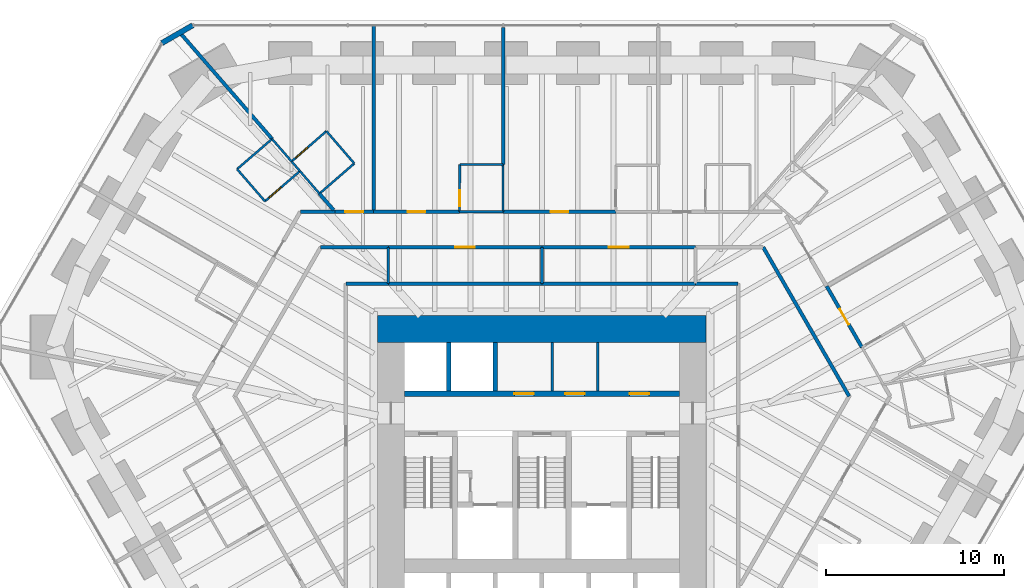
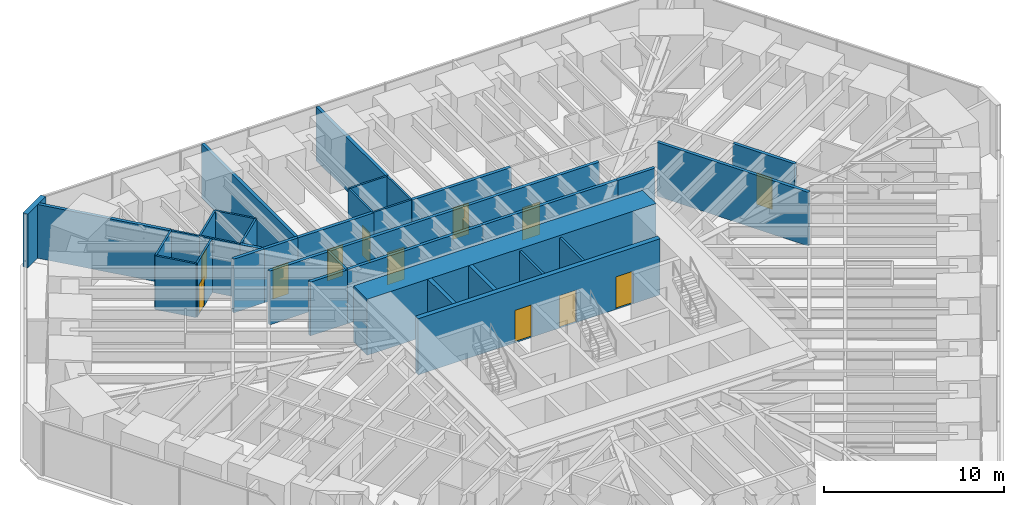
# One storey, part 14 of 17: 39 walls, 12 doors, 12 openings.
"""IFC4 building model written with IfcOpenShell, lengths in metres."""

import ifcopenshell
import ifcopenshell.guid

model = None  # the IFC model being written
_history = None  # IfcOwnerHistory: only IFC2X3 demands one
_inside = {}  # id of a spatial element -> (the spatial element, [elements in it])
_under = {}  # id of a project, library or spatial element -> (it, [spatial elements below it])
_declared = {}  # id of a project -> (the project, [libraries it declares])
_typed = {}  # id of a type object -> (the type object, [elements of that type])
_made_of = {}  # id of a material, layer set ... -> (it, [elements and type objects made of it])


def new_model(schema):
    """Start an empty IFC model of exactly this schema.

    Asked for "IFC4X3", IfcOpenShell would pick the latest addendum, in which some entities
    have other attributes; the version numbers below select the first issue.
    IFC2X3 requires an IfcOwnerHistory on every rooted entity: one is made here for all.
    """
    global model, _history
    if schema == "IFC4X3":
        model = ifcopenshell.file(schema_version=(4, 3, 0, 0))
    else:
        model = ifcopenshell.file(schema=schema)
    _inside.clear()
    _under.clear()
    _declared.clear()
    _typed.clear()
    _made_of.clear()
    _history = None
    if model.schema == "IFC2X3":
        org = make("IfcOrganization", Name="unknown")
        user = make(
            "IfcPersonAndOrganization",
            ThePerson=make("IfcPerson", FamilyName="unknown"),
            TheOrganization=org,
        )
        app = make(
            "IfcApplication",
            ApplicationDeveloper=org,
            Version="unknown",
            ApplicationFullName="unknown",
            ApplicationIdentifier="unknown",
        )
        _history = make(
            "IfcOwnerHistory",
            OwningUser=user,
            OwningApplication=app,
            ChangeAction="ADDED",
            CreationDate=0,
        )
    return model


def make(cls, **values):
    """One entity of the class cls with the attributes given. An attribute that is None is left unset."""
    return model.create_entity(
        cls, **{name: value for name, value in values.items() if value is not None}
    )


def rooted(cls, **values):
    """An entity with a GlobalId (a new one), such as an element, a storey or a relation."""
    return make(cls, GlobalId=ifcopenshell.guid.new(), OwnerHistory=_history, **values)


def si_unit(unit_type, name, prefix=None):
    """IfcSIUnit, for example si_unit("LENGTHUNIT", "METRE", prefix="MILLI")."""
    return make("IfcSIUnit", UnitType=unit_type, Prefix=prefix, Name=name)


def assignment(units):
    """IfcUnitAssignment: the units of a project."""
    return None if units is None else make("IfcUnitAssignment", Units=units)


def point(xyz):
    """IfcCartesianPoint."""
    return None if xyz is None else make("IfcCartesianPoint", Coordinates=xyz)


def direction(xyz):
    """IfcDirection."""
    return None if xyz is None else make("IfcDirection", DirectionRatios=xyz)


def frame(location, z_axis=None, x_axis=None):
    """IfcAxis2Placement3D, a coordinate frame: its origin and axes. An axis left out is left unset."""
    return make(
        "IfcAxis2Placement3D",
        Location=point(location),
        Axis=direction(z_axis),
        RefDirection=direction(x_axis),
    )


def frame_2d(location, x_axis=None):
    """IfcAxis2Placement2D, a coordinate frame in the plane: its origin and x axis."""
    return make(
        "IfcAxis2Placement2D", Location=point(location), RefDirection=direction(x_axis)
    )


def origin():
    """The frame at (0, 0, 0) with its axes left unset."""
    return frame((0.0, 0.0, 0.0))


def place(relative_to, where):
    """IfcLocalPlacement: puts the frame where relative to a parent placement (None: the world)."""
    return make(
        "IfcLocalPlacement", PlacementRelTo=relative_to, RelativePlacement=where
    )


def context(
    kind, dimensions, precision=None, world=None, true_north=None, identifier=None
):
    """IfcGeometricRepresentationContext, for example the 3D "Model" context."""
    return make(
        "IfcGeometricRepresentationContext",
        ContextIdentifier=identifier,
        ContextType=kind,
        CoordinateSpaceDimension=dimensions,
        Precision=precision,
        WorldCoordinateSystem=world,
        TrueNorth=true_north,
    )


def subcontext(parent, identifier, kind, view, scale=None):
    """IfcGeometricRepresentationSubContext, for example "Body" below "Model"."""
    return make(
        "IfcGeometricRepresentationSubContext",
        ContextIdentifier=identifier,
        ContextType=kind,
        ParentContext=parent,
        TargetScale=scale,
        TargetView=view,
    )


def project(units=None, contexts=None):
    """IfcProject with its units and contexts."""
    return rooted(
        "IfcProject",
        Name="project",
        RepresentationContexts=contexts,
        UnitsInContext=assignment(units),
    )


def spatial(cls, under=None, at=None, **own):
    """A site, building, storey or space (cls), placed at a placement, below another one or the project."""
    s = rooted(cls, ObjectPlacement=at, **own)
    if under is not None:
        _under.setdefault(under.id(), (under, []))[1].append(s)
    return s


def profile(cls, at=None, kind="AREA", **sizes):
    """A parametric profile (cls). Its sizes go by their IFC names, for example OverallWidth=200.0."""
    return make(cls, ProfileType=kind, Position=at, **sizes)


def rectangle(**sizes):
    """IfcRectangleProfileDef."""
    return profile("IfcRectangleProfileDef", **sizes)


def extrude(swept, where, along, depth):
    """IfcExtrudedAreaSolid: the profile swept, set in the frame where, extruded along a direction by depth."""
    return make(
        "IfcExtrudedAreaSolid",
        SweptArea=swept,
        Position=where,
        ExtrudedDirection=direction(along),
        Depth=depth,
    )


def shape(context_of_items, identifier, shape_type, items):
    """IfcShapeRepresentation: the items that make up one representation, for example the "Body"."""
    return make(
        "IfcShapeRepresentation",
        ContextOfItems=context_of_items,
        RepresentationIdentifier=identifier,
        RepresentationType=shape_type,
        Items=items,
    )


def material(Name=None, Category=None):
    """IfcMaterial."""
    return make("IfcMaterial", Name=Name, Category=Category)


def layer(
    of_material, thickness, ventilated=None, Name=None, Category=None, Priority=None
):
    """IfcMaterialLayer: one layer of a wall or slab, of a material (None: an air gap)."""
    return make(
        "IfcMaterialLayer",
        Material=of_material,
        LayerThickness=thickness,
        IsVentilated=ventilated,
        Name=Name,
        Category=Category,
        Priority=Priority,
    )


def layer_set(layers, Name=None):
    """IfcMaterialLayerSet."""
    return make("IfcMaterialLayerSet", MaterialLayers=layers, LayerSetName=Name)


def made_of(thing, what):
    """Note that an element or type object is made of a material, layer set ...; save() writes the relation."""
    if what is not None:
        _made_of.setdefault(what.id(), (what, []))[1].append(thing)
    return thing


def type_object(cls, material=None, **own):
    """A type object (cls), such as IfcWallType, which elements share."""
    return made_of(rooted(cls, **own), material)


def element(
    cls,
    number,
    at=None,
    inside=None,
    cuts=None,
    type_object=None,
    material=None,
    context=None,
    identifier="Body",
    shape_type=None,
    held_by="IfcProductDefinitionShape",
    body=None,
    shapes=None,
    **own,
):
    """One element of the class cls, such as IfcWall. Its Tag is "e" and its number.

    at: its placement. inside: the storey or other place that contains it. cuts: it is an
    opening in that element (IfcRelVoidsElement). A single representation is given by context,
    identifier, shape_type and body (its items); several are given by shapes. held_by: the class
    of the entity that holds the representations. save() writes the other relations.
    """
    e = rooted(cls, Tag="e%d" % number, ObjectPlacement=at, **own)
    if body is not None:
        shapes = [shape(context, identifier, shape_type, body)]
    if shapes is not None:
        e.Representation = make(held_by, Representations=shapes)
    if inside is not None:
        _inside.setdefault(inside.id(), (inside, []))[1].append(e)
    if cuts is not None:
        rooted(
            "IfcRelVoidsElement", RelatingBuildingElement=cuts, RelatedOpeningElement=e
        )
    if type_object is not None:
        _typed.setdefault(type_object.id(), (type_object, []))[1].append(e)
    return made_of(e, material)


def fill(opening, filler):
    """IfcRelFillsElement: the door or window that sits in an opening."""
    return rooted(
        "IfcRelFillsElement",
        RelatingOpeningElement=opening,
        RelatedBuildingElement=filler,
    )


def aggregate(whole, parts):
    """IfcRelAggregates: a whole, such as a stair, and the parts it consists of."""
    return rooted("IfcRelAggregates", RelatingObject=whole, RelatedObjects=parts)


def save(model, path):
    """Write the relations noted so far, then the file.

    IfcRelAggregates (storeys below a building ...), IfcRelContainedInSpatialStructure (elements
    in a storey), IfcRelDefinesByType, IfcRelAssociatesMaterial and IfcRelDeclares: one each for
    every whole, place, type object, material and project.
    """
    for whole, parts in _under.values():
        aggregate(whole, parts)
    for where, things in _inside.values():
        rooted(
            "IfcRelContainedInSpatialStructure",
            RelatedElements=things,
            RelatingStructure=where,
        )
    for kind, things in _typed.values():
        rooted("IfcRelDefinesByType", RelatedObjects=things, RelatingType=kind)
    for what, things in _made_of.values():
        rooted("IfcRelAssociatesMaterial", RelatedObjects=things, RelatingMaterial=what)
    for by, libraries in _declared.values():
        rooted("IfcRelDeclares", RelatingContext=by, RelatedDefinitions=libraries)
    model.write(path)


model = new_model("IFC4")

# Units and contexts
model_context = context("Model", 3, precision=1e-05, world=origin(), true_north=direction((0.0, 1.0)))
body_context = subcontext(model_context, "Body", "Model", "MODEL_VIEW")
ifc_project = project(units=[si_unit("LENGTHUNIT", "METRE"), si_unit("AREAUNIT", "SQUARE_METRE"), si_unit("VOLUMEUNIT", "CUBIC_METRE"), si_unit("PLANEANGLEUNIT", "RADIAN"), si_unit("MASSUNIT", "GRAM", prefix="KILO")], contexts=[model_context])

# Site, building, storey
site_placement = place(None, origin())
site = spatial("IfcSite", under=ifc_project, at=site_placement, CompositionType="ELEMENT")
building_placement = place(site_placement, origin())
building = spatial("IfcBuilding", under=site, at=building_placement, Name="Sandreach Pilgrim Tower", CompositionType="ELEMENT")
storey_placement = place(building_placement, frame((0.0, 0.0, 80.0)))
storey = spatial("IfcBuildingStorey", under=building, at=storey_placement, Name="L19", CompositionType="ELEMENT", Elevation=80.0)

# Walls
ifc_material_1 = material(Name="Gypsum board on steel studs", Category="steel")
ifc_layer_1 = layer(ifc_material_1, 0.14990234375)
ifc_layer_set_1 = layer_set([ifc_layer_1], Name="Back of house wall 150")
wall_type_1 = type_object("IfcWallType", Name="Back of house wall 150", PredefinedType="PARTITIONING", material=ifc_layer_set_1)
wall_1_placement = place(storey_placement, frame((-8.64990234375, 11.449951171875, 0.0), z_axis=(0.0, 0.0, 1.0), x_axis=(0.0, -1.0, 0.0)))
element("IfcWall", 1, at=wall_1_placement, inside=storey, type_object=wall_type_1, Name="Back of house wall L19-053", PredefinedType="PARTITIONING", context=body_context, shape_type="SweptSolid", body=[
    extrude(rectangle(XDim=2.050048828125, YDim=0.14990234375, at=frame_2d((1.02490234375, 0.0))), origin(), (0.0, 0.0, 1.0), 3.639892578125),
])
wall_2_placement = place(storey_placement, frame((0.0, 11.449951171875, 0.0), z_axis=(0.0, 0.0, 1.0), x_axis=(0.0, -1.0, 0.0)))
element("IfcWall", 2, at=wall_2_placement, inside=storey, type_object=wall_type_1, Name="Back of house wall L19-077", PredefinedType="PARTITIONING", context=body_context, shape_type="SweptSolid", body=[
    extrude(rectangle(XDim=2.050048828125, YDim=0.14990234375, at=frame_2d((1.02490234375, 0.0))), origin(), (0.0, 0.0, 1.0), 2.8779296875),
])
for number, where, z_axis, x_axis, name in (
    (3, (0.574951171875, 3.35009765625, 0.0), (0.0, 0.0, 1.0), (0.0, 1.0, 0.0), "Core room partition L19 1"),
    (4, (3.137451171875, 3.35009765625, 0.0), (0.0, 0.0, 1.0), (0.0, 1.0, 0.0), "Core room partition L19 2"),
):
    element("IfcWall", number, at=place(storey_placement, frame(where, z_axis=z_axis, x_axis=x_axis)), inside=storey, type_object=wall_type_1, Name=name, PredefinedType="PARTITIONING", context=body_context, shape_type="SweptSolid", body=[
        extrude(rectangle(XDim=2.75, YDim=0.14990234375, at=frame_2d((1.375, 0.0))), origin(), (0.0, 0.0, 1.0), 3.639892578125),
    ])
ifc_material_2 = material(Name="Moisture-resistant gypsum board on steel studs", Category="steel")
ifc_layer_2 = layer(ifc_material_2, 0.1201171875)
ifc_layer_set_2 = layer_set([ifc_layer_2], Name="Bathroom partition 120")
wall_type_2 = type_object("IfcWallType", Name="Bathroom partition 120", PredefinedType="PARTITIONING", material=ifc_layer_set_2)
wall_3_placement = place(storey_placement, frame((-17.169921875, 15.85009765625, 0.0), z_axis=(0.0, 0.0, 1.0), x_axis=(0.655194291402, -0.755460416245, 0.0)))
element("IfcWall", 5, at=wall_3_placement, inside=storey, type_object=wall_type_2, Name="Bathroom partition L19-019", PredefinedType="PARTITIONING", context=body_context, shape_type="SweptSolid", body=[
    extrude(rectangle(XDim=2.39599609375, YDim=0.1201171875, at=frame_2d((1.197998046875, 0.0))), origin(), (0.0, 0.0, 1.0), 3.639892578125),
])

# Wall, opening, door
wall_4_placement = place(storey_placement, frame((-15.60009765625, 14.0400390625, 0.0), z_axis=(0.0, 0.0, 1.0), x_axis=(0.757126702698, 0.653268058351, 0.0)))
wall_4 = element("IfcWall", 6, at=wall_4_placement, inside=storey, type_object=wall_type_2, Name="Bathroom partition L19-024", PredefinedType="PARTITIONING", context=body_context, shape_type="SweptSolid", body=[
    extrude(rectangle(XDim=2.602294921875, YDim=0.1201171875, at=frame_2d((1.30126953125, 0.0))), origin(), (0.0, 0.0, 1.0), 3.639892578125),
])
opening_1_placement = place(wall_4_placement, frame((0.300048828125, 0.0, 0.0)))
opening_1 = element("IfcOpeningElement", 7, at=opening_1_placement, cuts=wall_4, Name="Opening D09-18B", PredefinedType="OPENING", context=body_context, shape_type="SweptSolid", body=[
    extrude(rectangle(XDim=0.89990234375, YDim=2.030029296875, at=frame_2d((0.449951171875, 1.01513671875))), frame((0.0, 0.06005859375, 0.0), z_axis=(0.0, -1.0, 0.0), x_axis=(1.0, 0.0, 0.0)), (0.0, 0.0, 1.0), 0.1201171875),
])
ifc_material_3 = material(Name="Timber door, steel frame", Category="steel")
door_type_1 = type_object("IfcDoorType", Name="Bathroom door", OperationType="SINGLE_SWING_LEFT", PredefinedType="DOOR", material=ifc_material_3)
door_1_placement = place(opening_1_placement, origin())
door_1 = element("IfcDoor", 8, at=door_1_placement, inside=storey, type_object=door_type_1, Name="Door 1918B", OperationType="SINGLE_SWING_LEFT", OverallHeight=2.030029296875, OverallWidth=0.89990234375, PredefinedType="DOOR", context=body_context, shape_type="SweptSolid", body=[
    extrude(rectangle(XDim=0.89990234375, YDim=2.030029296875, at=frame_2d((0.449951171875, 1.01513671875))), frame((0.0, 0.02490234375, 0.0), z_axis=(0.0, -1.0, 0.0), x_axis=(1.0, 0.0, 0.0)), (0.0, 0.0, 1.0), 0.050048828125),
])
fill(opening_1, door_1)

# Walls
wall_5_placement = place(storey_placement, frame((-15.199951171875, 17.550048828125, 0.0), z_axis=(0.0, 0.0, 1.0), x_axis=(-0.757086659925, -0.653314464377, 0.0)))
element("IfcWall", 9, at=wall_5_placement, inside=storey, type_object=wall_type_2, Name="Bathroom partition L19-026", PredefinedType="PARTITIONING", context=body_context, shape_type="SweptSolid", body=[
    extrude(rectangle(XDim=2.60205078125, YDim=0.1201171875, at=frame_2d((1.301025390625, 0.0))), origin(), (0.0, 0.0, 1.0), 3.639892578125),
])
wall_6_placement = place(storey_placement, frame((-15.199951171875, 17.550048828125, 0.0), z_axis=(0.0, 0.0, 1.0), x_axis=(0.654648343784, -0.755933559237, 0.0)))
element("IfcWall", 10, at=wall_6_placement, inside=storey, type_object=wall_type_2, Name="Bathroom partition L19-027", PredefinedType="PARTITIONING", context=body_context, shape_type="SweptSolid", body=[
    extrude(rectangle(XDim=1.68017578125, YDim=0.1201171875, at=frame_2d((0.840087890625, 0.0))), origin(), (0.0, 0.0, 1.0), 3.639892578125),
])
wall_7_placement = place(storey_placement, frame((-14.10009765625, 16.280029296875, 0.0), z_axis=(0.0, 0.0, 1.0), x_axis=(0.656668163725, -0.754179635597, 0.0)))
element("IfcWall", 11, at=wall_7_placement, inside=storey, type_object=wall_type_2, Name="Bathroom partition L19-031", PredefinedType="PARTITIONING", context=body_context, shape_type="SweptSolid", body=[
    extrude(rectangle(XDim=0.716064453125, YDim=0.1201171875, at=frame_2d((0.35791015625, 0.0))), origin(), (0.0, 0.0, 1.0), 3.639892578125),
])
wall_8_placement = place(storey_placement, frame((-13.630126953125, 15.739990234375, 0.0), z_axis=(0.0, 0.0, 1.0), x_axis=(0.654028355274, -0.756470032783, 0.0)))
element("IfcWall", 12, at=wall_8_placement, inside=storey, type_object=wall_type_2, Name="Bathroom partition L19-032", PredefinedType="PARTITIONING", context=body_context, shape_type="SweptSolid", body=[
    extrude(rectangle(XDim=1.68017578125, YDim=0.1201171875, at=frame_2d((0.840087890625, 0.0))), origin(), (0.0, 0.0, 1.0), 3.639892578125),
])
wall_9_placement = place(storey_placement, frame((-12.530029296875, 14.469970703125, 0.0), z_axis=(0.0, 0.0, 1.0), x_axis=(0.755437535555, 0.655220672655, 0.0)))
element("IfcWall", 13, at=wall_9_placement, inside=storey, type_object=wall_type_2, Name="Bathroom partition L19-037", PredefinedType="PARTITIONING", context=body_context, shape_type="SweptSolid", body=[
    extrude(rectangle(XDim=2.594482421875, YDim=0.1201171875, at=frame_2d((1.29736328125, 0.0))), origin(), (0.0, 0.0, 1.0), 3.639892578125),
])

# Wall, opening, door
wall_10_placement = place(storey_placement, frame((-12.139892578125, 17.989990234375, 0.0), z_axis=(0.0, 0.0, 1.0), x_axis=(-0.753570046386, -0.657367617996, 0.0)))
wall_10 = element("IfcWall", 14, at=wall_10_placement, inside=storey, type_object=wall_type_2, Name="Bathroom partition L19-040", PredefinedType="PARTITIONING", context=body_context, shape_type="SweptSolid", body=[
    extrude(rectangle(XDim=2.601318359375, YDim=0.1201171875, at=frame_2d((1.30078125, 0.0))), origin(), (0.0, 0.0, 1.0), 3.639892578125),
])
opening_2_placement = place(wall_10_placement, frame((1.401123046875, 0.0, 0.0)))
opening_2 = element("IfcOpeningElement", 15, at=opening_2_placement, cuts=wall_10, Name="Opening D09-01B", PredefinedType="OPENING", context=body_context, shape_type="SweptSolid", body=[
    extrude(rectangle(XDim=0.89990234375, YDim=2.030029296875, at=frame_2d((0.449951171875, 1.01513671875))), frame((0.0, 0.06005859375, 0.0), z_axis=(0.0, -1.0, 0.0), x_axis=(1.0, 0.0, 0.0)), (0.0, 0.0, 1.0), 0.1201171875),
])
door_2_placement = place(opening_2_placement, origin())
door_2 = element("IfcDoor", 16, at=door_2_placement, inside=storey, type_object=door_type_1, Name="Door 1901B", OperationType="SINGLE_SWING_RIGHT", OverallHeight=2.030029296875, OverallWidth=0.89990234375, PredefinedType="DOOR", context=body_context, shape_type="SweptSolid", body=[
    extrude(rectangle(XDim=0.89990234375, YDim=2.030029296875, at=frame_2d((0.449951171875, 1.01513671875))), frame((0.0, 0.02490234375, 0.0), z_axis=(0.0, -1.0, 0.0), x_axis=(1.0, 0.0, 0.0)), (0.0, 0.0, 1.0), 0.050048828125),
])
fill(opening_2, door_2)

# Wall
wall_11_placement = place(storey_placement, frame((-10.570068359375, 16.169921875, 0.0), z_axis=(0.0, 0.0, 1.0), x_axis=(-0.653130488449, 0.757245379687, 0.0)))
element("IfcWall", 17, at=wall_11_placement, inside=storey, type_object=wall_type_2, Name="Bathroom partition L19-047", PredefinedType="PARTITIONING", context=body_context, shape_type="SweptSolid", body=[
    extrude(rectangle(XDim=2.403564453125, YDim=0.1201171875, at=frame_2d((1.20166015625, 0.0))), origin(), (0.0, 0.0, 1.0), 3.639892578125),
])

# Wall, opening, door
wall_12_placement = place(storey_placement, frame((-4.6298828125, 16.110107421875, 0.0), z_axis=(0.0, 0.0, 1.0), x_axis=(-0.003762822113, -0.99999292056, 0.0)))
wall_12 = element("IfcWall", 18, at=wall_12_placement, inside=storey, type_object=wall_type_2, Name="Bathroom partition L19-059", PredefinedType="PARTITIONING", context=body_context, shape_type="SweptSolid", body=[
    extrude(rectangle(XDim=2.66015625, YDim=0.1201171875, at=frame_2d((1.330078125, 0.0))), origin(), (0.0, 0.0, 1.0), 3.639892578125),
])
opening_3_placement = place(wall_12_placement, frame((1.4599609375, 0.0, 0.0)))
opening_3 = element("IfcOpeningElement", 19, at=opening_3_placement, cuts=wall_12, Name="Opening D09-02B", PredefinedType="OPENING", context=body_context, shape_type="SweptSolid", body=[
    extrude(rectangle(XDim=0.89990234375, YDim=2.030029296875, at=frame_2d((0.449951171875, 1.01513671875))), frame((0.0, 0.06005859375, 0.0), z_axis=(0.0, -1.0, 0.0), x_axis=(1.0, 0.0, 0.0)), (0.0, 0.0, 1.0), 0.1201171875),
])
door_3_placement = place(opening_3_placement, origin())
door_3 = element("IfcDoor", 20, at=door_3_placement, inside=storey, type_object=door_type_1, Name="Door 1902B", OperationType="SINGLE_SWING_RIGHT", OverallHeight=2.030029296875, OverallWidth=0.89990234375, PredefinedType="DOOR", context=body_context, shape_type="SweptSolid", body=[
    extrude(rectangle(XDim=0.89990234375, YDim=2.030029296875, at=frame_2d((0.449951171875, 1.01513671875))), frame((0.0, 0.02490234375, 0.0), z_axis=(0.0, -1.0, 0.0), x_axis=(1.0, 0.0, 0.0)), (0.0, 0.0, 1.0), 0.050048828125),
])
fill(opening_3, door_3)

# Walls
wall_13_placement = place(storey_placement, frame((-2.18994140625, 13.449951171875, 0.0), z_axis=(0.0, 0.0, 1.0), x_axis=(-1.0, 0.0, 0.0)))
element("IfcWall", 21, at=wall_13_placement, inside=storey, type_object=wall_type_2, Name="Bathroom partition L19-065", PredefinedType="PARTITIONING", context=body_context, shape_type="SweptSolid", body=[
    extrude(rectangle(XDim=2.449951171875, YDim=0.1201171875, at=frame_2d((1.22509765625, 0.0))), origin(), (0.0, 0.0, 1.0), 3.639892578125),
])
wall_14_placement = place(storey_placement, frame((-2.18994140625, 16.10009765625, 0.0), z_axis=(0.0, 0.0, 1.0), x_axis=(-0.999991585011, 0.004102426955, 0.0)))
element("IfcWall", 22, at=wall_14_placement, inside=storey, type_object=wall_type_2, Name="Bathroom partition L19-066", PredefinedType="PARTITIONING", context=body_context, shape_type="SweptSolid", body=[
    extrude(rectangle(XDim=2.43994140625, YDim=0.1201171875, at=frame_2d((1.219970703125, 0.0))), origin(), (0.0, 0.0, 1.0), 3.639892578125),
])
wall_15_placement = place(storey_placement, frame((-2.18994140625, 16.10009765625, 0.0), z_axis=(0.0, 0.0, 1.0), x_axis=(0.0, -1.0, 0.0)))
element("IfcWall", 23, at=wall_15_placement, inside=storey, type_object=wall_type_2, Name="Bathroom partition L19-067", PredefinedType="PARTITIONING", context=body_context, shape_type="SweptSolid", body=[
    extrude(rectangle(XDim=2.650146484375, YDim=0.1201171875, at=frame_2d((1.3251953125, 0.0))), origin(), (0.0, 0.0, 1.0), 3.639892578125),
])

# Wall, openings, doors
ifc_material_4 = material(Name="Concrete 10000 psi", Category="concrete")
ifc_layer_3 = layer(ifc_material_4, 0.300048828125)
ifc_layer_set_3 = layer_set([ifc_layer_3], Name="Core inner wall 300")
wall_type_3 = type_object("IfcWallType", Name="Core inner wall 300", PredefinedType="SHEAR", material=ifc_layer_set_3)
wall_16_placement = place(storey_placement, frame((-7.75, 3.199951171875, 0.0), z_axis=(0.0, 0.0, 1.0), x_axis=(1.0, 0.0, 0.0)))
wall_16 = element("IfcWall", 24, at=wall_16_placement, inside=storey, type_object=wall_type_3, Name="Core wall PN L19", PredefinedType="SHEAR", context=body_context, shape_type="SweptSolid", body=[
    extrude(rectangle(XDim=15.5, YDim=0.300048828125, at=frame_2d((7.75, 0.0))), origin(), (0.0, 0.0, 1.0), 3.800048828125),
])
opening_4_placement = place(wall_16_placement, frame((6.199951171875, 0.0, 0.0)))
opening_4 = element("IfcOpeningElement", 25, at=opening_4_placement, cuts=wall_16, Name="Opening D11L", PredefinedType="OPENING", context=body_context, shape_type="SweptSolid", body=[
    extrude(rectangle(XDim=1.10009765625, YDim=2.199951171875, at=frame_2d((0.550048828125, 1.10009765625))), frame((0.0, 0.14990234375, 0.0), z_axis=(0.0, -1.0, 0.0), x_axis=(1.0, 0.0, 0.0)), (0.0, 0.0, 1.0), 0.300048828125),
])
opening_5_placement = place(wall_16_placement, frame((9.05615234375, 0.0, 0.0)))
opening_5 = element("IfcOpeningElement", 26, at=opening_5_placement, cuts=wall_16, Name="Opening D11L", PredefinedType="OPENING", context=body_context, shape_type="SweptSolid", body=[
    extrude(rectangle(XDim=1.10009765625, YDim=2.199951171875, at=frame_2d((0.550048828125, 1.10009765625))), frame((0.0, 0.14990234375, 0.0), z_axis=(0.0, -1.0, 0.0), x_axis=(1.0, 0.0, 0.0)), (0.0, 0.0, 1.0), 0.300048828125),
])
opening_6_placement = place(wall_16_placement, frame((12.68115234375, 0.0, 0.0)))
opening_6 = element("IfcOpeningElement", 27, at=opening_6_placement, cuts=wall_16, Name="Opening D11L", PredefinedType="OPENING", context=body_context, shape_type="SweptSolid", body=[
    extrude(rectangle(XDim=1.10009765625, YDim=2.199951171875, at=frame_2d((0.550048828125, 1.10009765625))), frame((0.0, 0.14990234375, 0.0), z_axis=(0.0, -1.0, 0.0), x_axis=(1.0, 0.0, 0.0)), (0.0, 0.0, 1.0), 0.300048828125),
])
ifc_material_5 = material(Name="Steel door and frame, smoke seals", Category="steel")
door_type_2 = type_object("IfcDoorType", Name="Core room door", OperationType="SINGLE_SWING_LEFT", PredefinedType="DOOR", material=ifc_material_5)
door_4_placement = place(opening_4_placement, origin())
door_4 = element("IfcDoor", 28, at=door_4_placement, inside=storey, type_object=door_type_2, Name="Door linen and housekeeping store 19K1", OperationType="SINGLE_SWING_LEFT", OverallHeight=2.199951171875, OverallWidth=1.10009765625, PredefinedType="DOOR", context=body_context, shape_type="SweptSolid", body=[
    extrude(rectangle(XDim=1.10009765625, YDim=2.199951171875, at=frame_2d((0.550048828125, 1.10009765625))), frame((0.0, 0.02490234375, 0.0), z_axis=(0.0, -1.0, 0.0), x_axis=(1.0, 0.0, 0.0)), (0.0, 0.0, 1.0), 0.050048828125),
])
fill(opening_4, door_4)
door_5_placement = place(opening_5_placement, origin())
door_5 = element("IfcDoor", 29, at=door_5_placement, inside=storey, type_object=door_type_2, Name="Door cleaners store 19K2", OperationType="SINGLE_SWING_RIGHT", OverallHeight=2.199951171875, OverallWidth=1.10009765625, PredefinedType="DOOR", context=body_context, shape_type="SweptSolid", body=[
    extrude(rectangle(XDim=1.10009765625, YDim=2.199951171875, at=frame_2d((0.550048828125, 1.10009765625))), frame((0.0, 0.02490234375, 0.0), z_axis=(0.0, -1.0, 0.0), x_axis=(1.0, 0.0, 0.0)), (0.0, 0.0, 1.0), 0.050048828125),
])
fill(opening_5, door_5)
door_6_placement = place(opening_6_placement, origin())
door_6 = element("IfcDoor", 30, at=door_6_placement, inside=storey, type_object=door_type_2, Name="Door storage room 19K3", OperationType="SINGLE_SWING_RIGHT", OverallHeight=2.199951171875, OverallWidth=1.10009765625, PredefinedType="DOOR", context=body_context, shape_type="SweptSolid", body=[
    extrude(rectangle(XDim=1.10009765625, YDim=2.199951171875, at=frame_2d((0.550048828125, 1.10009765625))), frame((0.0, 0.02490234375, 0.0), z_axis=(0.0, -1.0, 0.0), x_axis=(1.0, 0.0, 0.0)), (0.0, 0.0, 1.0), 0.050048828125),
])
fill(opening_6, door_6)

# Walls
ifc_material_6 = material(Name="Concrete 10000 psi", Category="concrete")
ifc_layer_4 = layer(ifc_material_6, 1.5)
ifc_layer_set_4 = layer_set([ifc_layer_4], Name="Core wall 1500")
wall_type_4 = type_object("IfcWallType", Name="Core wall 1500", PredefinedType="SHEAR", material=ifc_layer_set_4)
wall_17_placement = place(storey_placement, frame((-9.25, 6.85009765625, 0.0), z_axis=(0.0, 0.0, 1.0), x_axis=(1.0, 0.0, 0.0)))
element("IfcWall", 31, at=wall_17_placement, inside=storey, type_object=wall_type_4, Name="Core wall N L19", PredefinedType="SHEAR", context=body_context, shape_type="SweptSolid", body=[
    extrude(rectangle(XDim=18.5, YDim=1.5, at=frame_2d((9.25, 0.0))), origin(), (0.0, 0.0, 1.0), 3.800048828125),
])
ifc_material_7 = material(Name="Gypsum board on steel studs, two layers each side", Category="steel")
ifc_layer_5 = layer(ifc_material_7, 0.199951171875)
ifc_layer_set_5 = layer_set([ifc_layer_5], Name="Corridor wall 200")
wall_type_5 = type_object("IfcWallType", Name="Corridor wall 200", PredefinedType="PARTITIONING", material=ifc_layer_set_5)
wall_18_placement = place(storey_placement, frame((-12.4599609375, 11.449951171875, 0.0), z_axis=(0.0, 0.0, 1.0), x_axis=(1.0, 0.0, 0.0)))
element("IfcWall", 32, at=wall_18_placement, inside=storey, type_object=wall_type_5, Name="Corridor wall L19-038", PredefinedType="PARTITIONING", context=body_context, shape_type="SweptSolid", body=[
    extrude(rectangle(XDim=3.81005859375, YDim=0.199951171875, at=frame_2d((1.905029296875, 0.0))), origin(), (0.0, 0.0, 1.0), 3.639892578125),
])
wall_19_placement = place(storey_placement, frame((-11.64990234375, 13.449951171875, 0.0), z_axis=(0.0, 0.0, 1.0), x_axis=(-1.0, 0.0, 0.0)))
element("IfcWall", 33, at=wall_19_placement, inside=storey, type_object=wall_type_5, Name="Corridor wall L19-041", PredefinedType="PARTITIONING", context=body_context, shape_type="SweptSolid", body=[
    extrude(rectangle(XDim=1.960205078125, YDim=0.199951171875, at=frame_2d((0.97998046875, 0.0))), origin(), (0.0, 0.0, 1.0), 3.639892578125),
])

# Wall, opening, door
wall_20_placement = place(storey_placement, frame((-9.47998046875, 13.449951171875, 0.0), z_axis=(0.0, 0.0, 1.0), x_axis=(-1.0, 0.0, 0.0)))
wall_20 = element("IfcWall", 34, at=wall_20_placement, inside=storey, type_object=wall_type_5, Name="Corridor wall L19-049", PredefinedType="PARTITIONING", context=body_context, shape_type="SweptSolid", body=[
    extrude(rectangle(XDim=2.169921875, YDim=0.199951171875, at=frame_2d((1.0849609375, 0.0))), origin(), (0.0, 0.0, 1.0), 3.639892578125),
])
opening_7_placement = place(wall_20_placement, frame((0.5849609375, 0.0, 0.0)))
opening_7 = element("IfcOpeningElement", 35, at=opening_7_placement, cuts=wall_20, Name="Opening D10-01", PredefinedType="OPENING", context=body_context, shape_type="SweptSolid", body=[
    extrude(rectangle(XDim=1.0, YDim=2.1298828125, at=frame_2d((0.5, 1.06494140625))), frame((0.0, 0.10009765625, 0.0), z_axis=(0.0, -1.0, 0.0), x_axis=(1.0, 0.0, 0.0)), (0.0, 0.0, 1.0), 0.199951171875),
])
ifc_material_8 = material(Name="Steel door and frame", Category="steel")
door_type_3 = type_object("IfcDoorType", Name="Guest room entry door", OperationType="SINGLE_SWING_LEFT", PredefinedType="DOOR", material=ifc_material_8)
door_7_placement = place(opening_7_placement, origin())
door_7 = element("IfcDoor", 36, at=door_7_placement, inside=storey, type_object=door_type_3, Name="Door 1901", OperationType="SINGLE_SWING_LEFT", OverallHeight=2.1298828125, OverallWidth=1.0, PredefinedType="DOOR", context=body_context, shape_type="SweptSolid", body=[
    extrude(rectangle(XDim=1.0, YDim=2.1298828125, at=frame_2d((0.5, 1.06494140625))), frame((0.0, 0.02490234375, 0.0), z_axis=(0.0, -1.0, 0.0), x_axis=(1.0, 0.0, 0.0)), (0.0, 0.0, 1.0), 0.050048828125),
])
fill(opening_7, door_7)

# Wall
wall_21_placement = place(storey_placement, frame((-8.64990234375, 9.39990234375, 0.0), z_axis=(0.0, 0.0, 1.0), x_axis=(-1.0, 0.0, 0.0)))
element("IfcWall", 37, at=wall_21_placement, inside=storey, type_object=wall_type_5, Name="Corridor wall L19-052", PredefinedType="PARTITIONING", context=body_context, shape_type="SweptSolid", body=[
    extrude(rectangle(XDim=2.39013671875, YDim=0.199951171875, at=frame_2d((1.195068359375, 0.0))), origin(), (0.0, 0.0, 1.0), 3.639892578125),
])

# Wall, opening, door
wall_22_placement = place(storey_placement, frame((-8.64990234375, 11.449951171875, 0.0), z_axis=(0.0, 0.0, 1.0), x_axis=(1.0, 0.0, 0.0)))
wall_22 = element("IfcWall", 38, at=wall_22_placement, inside=storey, type_object=wall_type_5, Name="Corridor wall L19-054", PredefinedType="PARTITIONING", context=body_context, shape_type="SweptSolid", body=[
    extrude(rectangle(XDim=8.64990234375, YDim=0.199951171875, at=frame_2d((4.324951171875, 0.0))), origin(), (0.0, 0.0, 1.0), 3.639892578125),
])
opening_8_placement = place(wall_22_placement, frame((3.77490234375, 0.0, 0.0)))
opening_8 = element("IfcOpeningElement", 39, at=opening_8_placement, cuts=wall_22, Name="Opening D11H-M02", PredefinedType="OPENING", context=body_context, shape_type="SweptSolid", body=[
    extrude(rectangle(XDim=1.10009765625, YDim=2.199951171875, at=frame_2d((0.550048828125, 1.10009765625))), frame((0.0, 0.10009765625, 0.0), z_axis=(0.0, -1.0, 0.0), x_axis=(1.0, 0.0, 0.0)), (0.0, 0.0, 1.0), 0.199951171875),
])
ifc_material_9 = material(Name="Steel door and frame", Category="steel")
door_type_4 = type_object("IfcDoorType", Name="Back of house door", OperationType="SINGLE_SWING_LEFT", PredefinedType="DOOR", material=ifc_material_9)
door_8_placement = place(opening_8_placement, origin())
door_8 = element("IfcDoor", 40, at=door_8_placement, inside=storey, type_object=door_type_4, Name="Door 19M02", OperationType="SINGLE_SWING_LEFT", OverallHeight=2.199951171875, OverallWidth=1.10009765625, PredefinedType="DOOR", context=body_context, shape_type="SweptSolid", body=[
    extrude(rectangle(XDim=1.10009765625, YDim=2.199951171875, at=frame_2d((0.550048828125, 1.10009765625))), frame((0.0, 0.02490234375, 0.0), z_axis=(0.0, -1.0, 0.0), x_axis=(1.0, 0.0, 0.0)), (0.0, 0.0, 1.0), 0.050048828125),
])
fill(opening_8, door_8)

wall_23_placement = place(storey_placement, frame((-4.639892578125, 13.449951171875, 0.0), z_axis=(0.0, 0.0, 1.0), x_axis=(-1.0, 0.0, 0.0)))
wall_23 = element("IfcWall", 41, at=wall_23_placement, inside=storey, type_object=wall_type_5, Name="Corridor wall L19-058", PredefinedType="PARTITIONING", context=body_context, shape_type="SweptSolid", body=[
    extrude(rectangle(XDim=4.840087890625, YDim=0.199951171875, at=frame_2d((2.419921875, 0.0))), origin(), (0.0, 0.0, 1.0), 3.639892578125),
])
opening_9_placement = place(wall_23_placement, frame((1.919921875, 0.0, 0.0)))
opening_9 = element("IfcOpeningElement", 42, at=opening_9_placement, cuts=wall_23, Name="Opening D10-02", PredefinedType="OPENING", context=body_context, shape_type="SweptSolid", body=[
    extrude(rectangle(XDim=1.0, YDim=2.1298828125, at=frame_2d((0.5, 1.06494140625))), frame((0.0, 0.10009765625, 0.0), z_axis=(0.0, -1.0, 0.0), x_axis=(1.0, 0.0, 0.0)), (0.0, 0.0, 1.0), 0.199951171875),
])
door_9_placement = place(opening_9_placement, origin())
door_9 = element("IfcDoor", 43, at=door_9_placement, inside=storey, type_object=door_type_3, Name="Door 1902", OperationType="SINGLE_SWING_LEFT", OverallHeight=2.1298828125, OverallWidth=1.0, PredefinedType="DOOR", context=body_context, shape_type="SweptSolid", body=[
    extrude(rectangle(XDim=1.0, YDim=2.1298828125, at=frame_2d((0.5, 1.06494140625))), frame((0.0, 0.02490234375, 0.0), z_axis=(0.0, -1.0, 0.0), x_axis=(1.0, 0.0, 0.0)), (0.0, 0.0, 1.0), 0.050048828125),
])
fill(opening_9, door_9)

# Wall
wall_24_placement = place(storey_placement, frame((0.0, 9.39990234375, 0.0), z_axis=(0.0, 0.0, 1.0), x_axis=(-1.0, 0.0, 0.0)))
element("IfcWall", 44, at=wall_24_placement, inside=storey, type_object=wall_type_5, Name="Corridor wall L19-076", PredefinedType="PARTITIONING", context=body_context, shape_type="SweptSolid", body=[
    extrude(rectangle(XDim=8.64990234375, YDim=0.199951171875, at=frame_2d((4.324951171875, 0.0))), origin(), (0.0, 0.0, 1.0), 3.639892578125),
])

# Wall, opening, door
wall_25_placement = place(storey_placement, frame((0.0, 11.449951171875, 0.0), z_axis=(0.0, 0.0, 1.0), x_axis=(1.0, 0.0, 0.0)))
wall_25 = element("IfcWall", 45, at=wall_25_placement, inside=storey, type_object=wall_type_5, Name="Corridor wall L19-078", PredefinedType="PARTITIONING", context=body_context, shape_type="SweptSolid", body=[
    extrude(rectangle(XDim=8.64990234375, YDim=0.199951171875, at=frame_2d((4.324951171875, 0.0))), origin(), (0.0, 0.0, 1.0), 3.639892578125),
])
opening_10_placement = place(wall_25_placement, frame((3.77490234375, 0.0, 0.0)))
opening_10 = element("IfcOpeningElement", 46, at=opening_10_placement, cuts=wall_25, Name="Opening D11H-M03", PredefinedType="OPENING", context=body_context, shape_type="SweptSolid", body=[
    extrude(rectangle(XDim=1.10009765625, YDim=2.199951171875, at=frame_2d((0.550048828125, 1.10009765625))), frame((0.0, 0.10009765625, 0.0), z_axis=(0.0, -1.0, 0.0), x_axis=(1.0, 0.0, 0.0)), (0.0, 0.0, 1.0), 0.199951171875),
])
door_10_placement = place(opening_10_placement, origin())
door_10 = element("IfcDoor", 47, at=door_10_placement, inside=storey, type_object=door_type_4, Name="Door 19M03", OperationType="SINGLE_SWING_LEFT", OverallHeight=2.199951171875, OverallWidth=1.10009765625, PredefinedType="DOOR", context=body_context, shape_type="SweptSolid", body=[
    extrude(rectangle(XDim=1.10009765625, YDim=2.199951171875, at=frame_2d((0.550048828125, 1.10009765625))), frame((0.0, 0.02490234375, 0.0), z_axis=(0.0, -1.0, 0.0), x_axis=(1.0, 0.0, 0.0)), (0.0, 0.0, 1.0), 0.050048828125),
])
fill(opening_10, door_10)

wall_26_placement = place(storey_placement, frame((4.159912109375, 13.449951171875, 0.0), z_axis=(0.0, 0.0, 1.0), x_axis=(-1.0, 0.0, 0.0)))
wall_26 = element("IfcWall", 48, at=wall_26_placement, inside=storey, type_object=wall_type_5, Name="Corridor wall L19-084", PredefinedType="PARTITIONING", context=body_context, shape_type="SweptSolid", body=[
    extrude(rectangle(XDim=6.349853515625, YDim=0.199951171875, at=frame_2d((3.1748046875, 0.0))), origin(), (0.0, 0.0, 1.0), 3.639892578125),
])
opening_11_placement = place(wall_26_placement, frame((2.675048828125, 0.0, 0.0)))
opening_11 = element("IfcOpeningElement", 49, at=opening_11_placement, cuts=wall_26, Name="Opening D10-03", PredefinedType="OPENING", context=body_context, shape_type="SweptSolid", body=[
    extrude(rectangle(XDim=1.0, YDim=2.1298828125, at=frame_2d((0.5, 1.06494140625))), frame((0.0, 0.10009765625, 0.0), z_axis=(0.0, -1.0, 0.0), x_axis=(1.0, 0.0, 0.0)), (0.0, 0.0, 1.0), 0.199951171875),
])
door_11_placement = place(opening_11_placement, origin())
door_11 = element("IfcDoor", 50, at=door_11_placement, inside=storey, type_object=door_type_3, Name="Door 1903", OperationType="SINGLE_SWING_LEFT", OverallHeight=2.1298828125, OverallWidth=1.0, PredefinedType="DOOR", context=body_context, shape_type="SweptSolid", body=[
    extrude(rectangle(XDim=1.0, YDim=2.1298828125, at=frame_2d((0.5, 1.06494140625))), frame((0.0, 0.02490234375, 0.0), z_axis=(0.0, -1.0, 0.0), x_axis=(1.0, 0.0, 0.0)), (0.0, 0.0, 1.0), 0.050048828125),
])
fill(opening_11, door_11)

# Walls
wall_27_placement = place(storey_placement, frame((8.64990234375, 9.39990234375, 0.0), z_axis=(0.0, 0.0, 1.0), x_axis=(-1.0, 0.0, 0.0)))
element("IfcWall", 51, at=wall_27_placement, inside=storey, type_object=wall_type_5, Name="Corridor wall L19-102", PredefinedType="PARTITIONING", context=body_context, shape_type="SweptSolid", body=[
    extrude(rectangle(XDim=8.64990234375, YDim=0.199951171875, at=frame_2d((4.324951171875, 0.0))), origin(), (0.0, 0.0, 1.0), 3.639892578125),
])
wall_28_placement = place(storey_placement, frame((11.0400390625, 9.39990234375, 0.0), z_axis=(0.0, 0.0, 1.0), x_axis=(-1.0, 0.0, 0.0)))
element("IfcWall", 52, at=wall_28_placement, inside=storey, type_object=wall_type_5, Name="Corridor wall L19-111", PredefinedType="PARTITIONING", context=body_context, shape_type="SweptSolid", body=[
    extrude(rectangle(XDim=2.39013671875, YDim=0.199951171875, at=frame_2d((1.195068359375, 0.0))), origin(), (0.0, 0.0, 1.0), 3.639892578125),
])
wall_29_placement = place(storey_placement, frame((12.4599609375, 11.449951171875, 0.0), z_axis=(0.0, 0.0, 1.0), x_axis=(0.499704269421, -0.866196076603, 0.0)))
element("IfcWall", 53, at=wall_29_placement, inside=storey, type_object=wall_type_5, Name="Corridor wall L19-119", PredefinedType="PARTITIONING", context=body_context, shape_type="SweptSolid", body=[
    extrude(rectangle(XDim=9.685791015625, YDim=0.199951171875, at=frame_2d((4.8427734375, 0.0))), origin(), (0.0, 0.0, 1.0), 3.639892578125),
])

# Wall, opening, door
wall_30_placement = place(storey_placement, frame((16.030029296875, 9.260009765625, 0.0), z_axis=(0.0, 0.0, 1.0), x_axis=(0.500123041693, -0.865954353975, 0.0)))
wall_30 = element("IfcWall", 54, at=wall_30_placement, inside=storey, type_object=wall_type_5, Name="Corridor wall L19-130", PredefinedType="PARTITIONING", context=body_context, shape_type="SweptSolid", body=[
    extrude(rectangle(XDim=3.97412109375, YDim=0.199951171875, at=frame_2d((1.987060546875, 0.0))), origin(), (0.0, 0.0, 1.0), 3.639892578125),
])
opening_12_placement = place(wall_30_placement, frame((1.487060546875, 0.0, 0.0)))
opening_12 = element("IfcOpeningElement", 55, at=opening_12_placement, cuts=wall_30, Name="Opening D10-06", PredefinedType="OPENING", context=body_context, shape_type="SweptSolid", body=[
    extrude(rectangle(XDim=1.0, YDim=2.1298828125, at=frame_2d((0.5, 1.06494140625))), frame((0.0, 0.10009765625, 0.0), z_axis=(0.0, -1.0, 0.0), x_axis=(1.0, 0.0, 0.0)), (0.0, 0.0, 1.0), 0.199951171875),
])
door_12_placement = place(opening_12_placement, origin())
door_12 = element("IfcDoor", 56, at=door_12_placement, inside=storey, type_object=door_type_3, Name="Door 1906", OperationType="SINGLE_SWING_LEFT", OverallHeight=2.1298828125, OverallWidth=1.0, PredefinedType="DOOR", context=body_context, shape_type="SweptSolid", body=[
    extrude(rectangle(XDim=1.0, YDim=2.1298828125, at=frame_2d((0.5, 1.06494140625))), frame((0.0, 0.02490234375, 0.0), z_axis=(0.0, -1.0, 0.0), x_axis=(1.0, 0.0, 0.0)), (0.0, 0.0, 1.0), 0.050048828125),
])
fill(opening_12, door_12)

# Walls
ifc_material_10 = material(Name="Double steel stud acoustic wall, gypsum board", Category="steel")
ifc_layer_6 = layer(ifc_material_10, 0.199951171875)
ifc_layer_set_6 = layer_set([ifc_layer_6], Name="Party wall 200")
wall_type_6 = type_object("IfcWallType", Name="Party wall 200", PredefinedType="PARTITIONING", material=ifc_layer_set_6)
wall_31_placement = place(storey_placement, frame((-20.400390625, 23.54736328125, 0.0), z_axis=(0.0, 0.0, 1.0), x_axis=(0.655343769788, -0.755330750996, 0.0)))
element("IfcWall", 57, at=wall_31_placement, inside=storey, type_object=wall_type_6, Name="Party wall L19-004", PredefinedType="PARTITIONING", context=body_context, shape_type="SweptSolid", body=[
    extrude(rectangle(XDim=7.93798828125, YDim=0.199951171875, at=frame_2d((3.968994140625, 0.0))), origin(), (0.0, 0.0, 1.0), 3.639892578125),
])
wall_32_placement = place(storey_placement, frame((-12.53125, 14.468994140625, 0.0), z_axis=(0.0, 0.0, 1.0), x_axis=(0.654105410889, -0.756403405232, 0.0)))
element("IfcWall", 58, at=wall_32_placement, inside=storey, type_object=wall_type_6, Name="Party wall L19-036", PredefinedType="PARTITIONING", context=body_context, shape_type="SweptSolid", body=[
    extrude(rectangle(XDim=1.217041015625, YDim=0.199951171875, at=frame_2d((0.6083984375, 0.0))), origin(), (0.0, 0.0, 1.0), 3.639892578125),
])
wall_33_placement = place(storey_placement, frame((-9.47998046875, 23.919921875, 0.0), z_axis=(0.0, 0.0, 1.0), x_axis=(0.0, -1.0, 0.0)))
element("IfcWall", 59, at=wall_33_placement, inside=storey, type_object=wall_type_6, Name="Party wall L19-050", PredefinedType="PARTITIONING", context=body_context, shape_type="SweptSolid", body=[
    extrude(rectangle(XDim=10.4599609375, YDim=0.199951171875, at=frame_2d((5.22998046875, 0.0))), origin(), (0.0, 0.0, 1.0), 3.639892578125),
])
wall_34_placement = place(storey_placement, frame((-2.18994140625, 23.830078125, 0.0), z_axis=(0.0, 0.0, 1.0), x_axis=(0.0, -1.0, 0.0)))
element("IfcWall", 60, at=wall_34_placement, inside=storey, type_object=wall_type_6, Name="Party wall L19-068", PredefinedType="PARTITIONING", context=body_context, shape_type="SweptSolid", body=[
    extrude(rectangle(XDim=7.72998046875, YDim=0.199951171875, at=frame_2d((3.864990234375, 0.0))), origin(), (0.0, 0.0, 1.0), 3.639892578125),
])
ifc_material_11 = material(Name="Gypsum shaft wall on steel studs, two layers of shaft liner board", Category="steel")
ifc_layer_7 = layer(ifc_material_11, 0.25)
ifc_layer_set_7 = layer_set([ifc_layer_7], Name="Shaft partition 250")
wall_type_7 = type_object("IfcWallType", Name="Shaft partition 250", PredefinedType="PARTITIONING", material=ifc_layer_set_7)
for number, where, z_axis, x_axis, name in (
    (61, (-5.25, 3.35009765625, 0.0), (0.0, 0.0, 1.0), (0.0, 1.0, 0.0), "Shaft partition NS0 L19"),
    (62, (-2.625, 3.35009765625, 0.0), (0.0, 0.0, 1.0), (0.0, 1.0, 0.0), "Shaft partition NS1 L19"),
):
    element("IfcWall", number, at=place(storey_placement, frame(where, z_axis=z_axis, x_axis=x_axis)), inside=storey, type_object=wall_type_7, Name=name, PredefinedType="PARTITIONING", context=body_context, shape_type="SweptSolid", body=[
        extrude(rectangle(XDim=2.75, YDim=0.25, at=frame_2d((1.375, 0.0))), origin(), (0.0, 0.0, 1.0), 3.800048828125),
    ])
ifc_material_12 = material(Name="Terracotta rainscreen on concrete", Category="masonry")
ifc_layer_8 = layer(ifc_material_12, 0.300048828125)
ifc_layer_set_8 = layer_set([ifc_layer_8], Name="Terracotta chamfer pier")
wall_type_8 = type_object("IfcWallType", Name="Terracotta chamfer pier", PredefinedType="SOLIDWALL", material=ifc_layer_set_8)
wall_35_placement = place(storey_placement, frame((-21.404052734375, 22.94873046875, 0.0), z_axis=(0.0, 0.0, 1.0), x_axis=(0.866010750942, 0.50002537861, 0.0)))
element("IfcWall", 63, at=wall_35_placement, inside=storey, type_object=wall_type_8, Name="Chamfer pier L19 NW", PredefinedType="SOLIDWALL", context=body_context, shape_type="SweptSolid", body=[
    extrude(rectangle(XDim=2.0, YDim=0.300048828125, at=frame_2d((1.0, 0.0))), origin(), (0.0, 0.0, 1.0), 3.639892578125),
])

save(model, "model.ifc")
